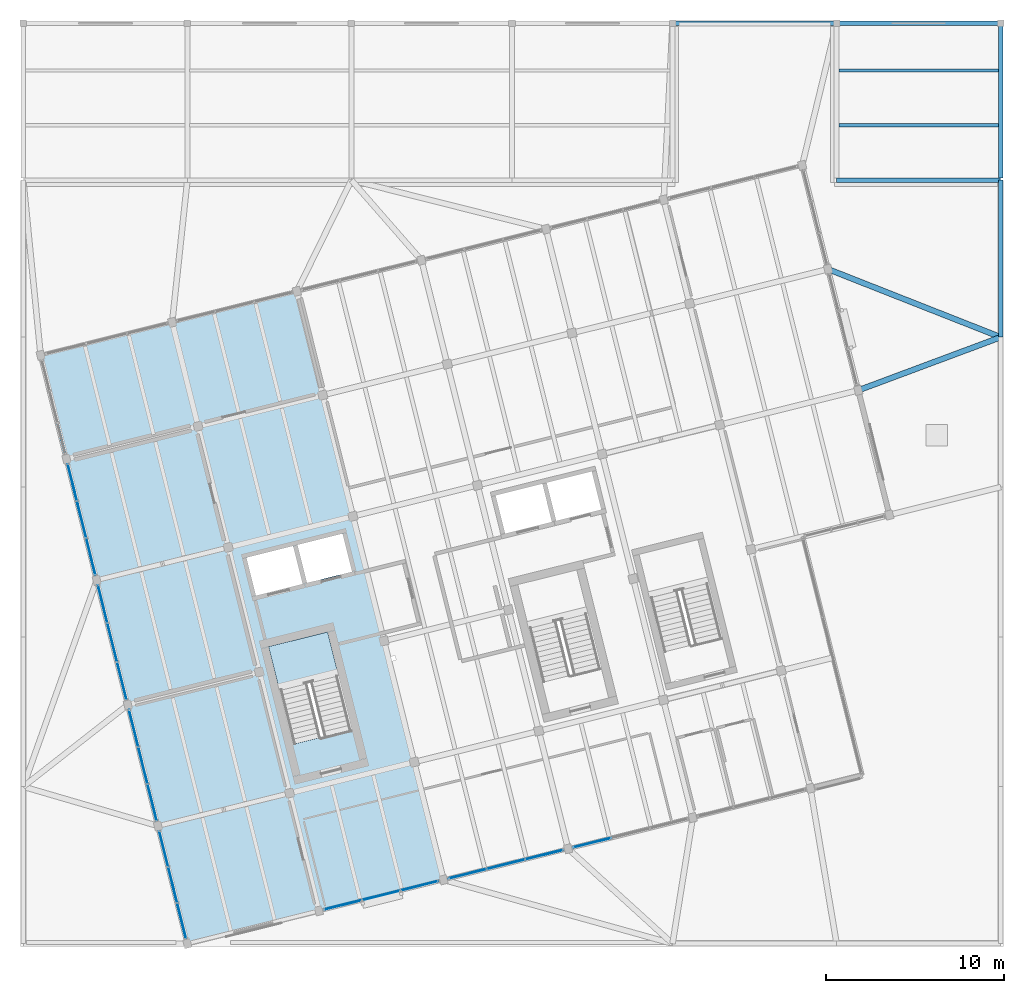
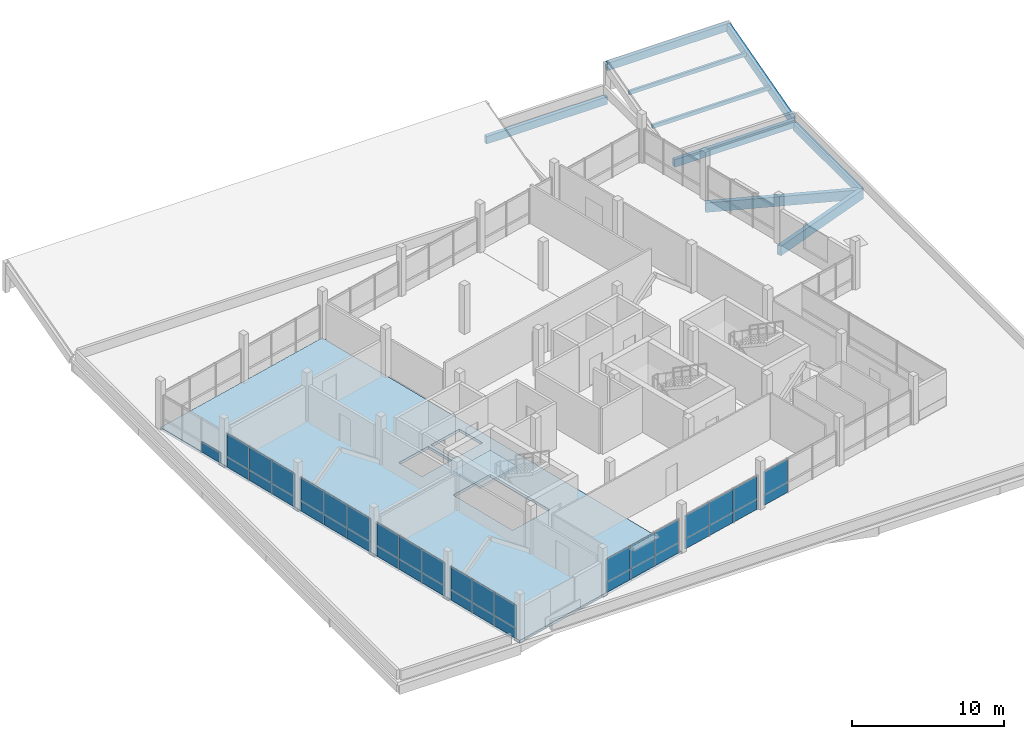
# One storey, part 31 of 37: 39 plates, 7 beams, 2 members, 2 slabs, 9 elements without a shape of their own.
"""IFC4 building model written with IfcOpenShell, lengths in metres."""

from ifc_helpers import new_model, si_unit, direction, frame, origin, origin_2d, place, context, subcontext, project, spatial, polyline, rectangle, outline, extrude, material, layer, layer_set, material_profile, profile_set, type_object, element, aggregate, save


model = new_model("IFC4")

# Units and contexts
model_context = context("Model", 3, precision=1e-05, world=origin(), true_north=direction((0.0, 1.0)))
body_context = subcontext(model_context, "Body", "Model", "MODEL_VIEW")
ifc_project = project(units=[si_unit("LENGTHUNIT", "METRE"), si_unit("AREAUNIT", "SQUARE_METRE"), si_unit("VOLUMEUNIT", "CUBIC_METRE"), si_unit("PLANEANGLEUNIT", "RADIAN"), si_unit("MASSUNIT", "GRAM", prefix="KILO")], contexts=[model_context])

# Site, building, storey
site_placement = place(None, origin())
site = spatial("IfcSite", under=ifc_project, at=site_placement, CompositionType="ELEMENT")
building_placement = place(site_placement, origin())
building = spatial("IfcBuilding", under=site, at=building_placement, Name="Meriwether Solvik Hall", CompositionType="ELEMENT")
storey_placement = place(building_placement, frame((0.0, 0.0, 26.10009765625)))
storey = spatial("IfcBuildingStorey", under=building, at=storey_placement, Name="L06", CompositionType="ELEMENT", Elevation=26.10009765625)

# Beams
ifc_material_1 = material(Name="Glulam Douglas-Fir 24F-V8 GL28h", Category="wood")
ifc_material_profile_1 = material_profile(ifc_material_1, rectangle(XDim=0.27294921875, YDim=0.610107421875, at=origin_2d()), Name="GLB-273X610")
ifc_profile_set_1 = profile_set([ifc_material_profile_1], Name="Glulam Douglas-Fir 24F-V8 GL28h")
beam_type_1 = type_object("IfcBeamType", Name="BM-GL-273X610", PredefinedType="SPANDREL", material=ifc_profile_set_1)
beam_1_placement = place(storey_placement, frame((95.800048828125, 92.800048828125, -0.5751953125), z_axis=(1.0, 0.0, 0.0), x_axis=(0.0, 1.0, 0.0)))
element("IfcBeam", 1, at=beam_1_placement, inside=storey, type_object=beam_type_1, Name="Podium Girder K:11-12 (L06)", PredefinedType="SPANDREL", context=body_context, shape_type="SweptSolid", body=[
    extrude(rectangle(XDim=0.27294921875, YDim=0.610107421875, at=origin_2d()), origin(), (0.0, 0.0, 1.0), 9.199951171875),
])
beam_2_placement = place(storey_placement, frame((114.199951171875, 75.199951171875, -0.5751953125), z_axis=(0.0, 1.0, 0.0), x_axis=(-1.0, 0.0, 0.0)))
element("IfcBeam", 2, at=beam_2_placement, inside=storey, type_object=beam_type_1, Name="Podium Girder 13:I-J (L06)", PredefinedType="SPANDREL", context=body_context, shape_type="SweptSolid", body=[
    extrude(rectangle(XDim=0.27294921875, YDim=0.610107421875, at=origin_2d()), origin(), (0.0, 0.0, 1.0), 8.800048828125),
])
for number, where, z_axis, x_axis, name in (
    (3, (105.0, 84.0, -0.323974609375), (1.0, 0.0, 0.0), (0.0, 1.0, 0.0), "Roof Tie Beam J:12-13 (L06)"),
    (4, (105.0, 92.800048828125, 2.095947265625), (1.0, 0.0, 0.0), (0.0, 1.0, 0.0), "Roof Tie Beam K:12-13 (L06)"),
):
    element("IfcBeam", number, at=place(storey_placement, frame(where, z_axis=z_axis, x_axis=x_axis)), inside=storey, type_object=beam_type_1, Name=name, PredefinedType="SPANDREL", context=body_context, shape_type="SweptSolid", body=[
        extrude(rectangle(XDim=0.27294921875, YDim=0.610107421875, at=origin_2d()), origin(), (0.0, 0.0, 1.0), 9.199951171875),
    ])
ifc_material_2 = material(Name="Glulam Douglas-Fir 24F-V8 GL28h", Category="wood")
ifc_material_profile_2 = material_profile(ifc_material_2, rectangle(XDim=0.27294921875, YDim=0.68505859375, at=origin_2d()), Name="GLB-273X685")
ifc_profile_set_2 = profile_set([ifc_material_profile_2], Name="Glulam Douglas-Fir 24F-V8 GL28h")
beam_type_2 = type_object("IfcBeamType", Name="BM-GL-273X685", PredefinedType="BEAM", material=ifc_profile_set_2)
beam_3_placement = place(storey_placement, frame((114.199951171875, 84.21875, -0.31396484375), z_axis=(0.0, 0.964211732223, 0.265133429511), x_axis=(-1.0, 0.0, 0.0)))
element("IfcBeam", 5, at=beam_3_placement, inside=storey, type_object=beam_type_2, Name="Raking Glulam Roof Rafter w4b_north_e-13 (L06)", PredefinedType="BEAM", context=body_context, shape_type="SweptSolid", body=[
    extrude(rectangle(XDim=0.27294921875, YDim=0.68505859375, at=origin_2d()), origin(), (0.0, 0.0, 1.0), 8.861083984375),
])
ifc_material_3 = material(Name="Glulam Douglas-Fir 24F-V8 GL28h", Category="wood")
ifc_material_profile_3 = material_profile(ifc_material_3, rectangle(XDim=0.31494140625, YDim=0.760009765625, at=origin_2d()), Name="GLB-315X760")
ifc_profile_set_3 = profile_set([ifc_material_profile_3], Name="Glulam Douglas-Fir 24F-V8 GL28h")
beam_type_3 = type_object("IfcBeamType", Name="BM-GL-315X760", PredefinedType="BEAM", material=ifc_profile_set_3)
beam_4_placement = place(storey_placement, frame((106.212646484375, 72.220703125, -0.650146484375), z_axis=(0.93694444662, 0.349478331156, 0.0), x_axis=(-0.349478331156, 0.93694444662, 0.0)))
element("IfcBeam", 6, at=beam_4_placement, inside=storey, type_object=beam_type_3, Name="Diaphragm Collector Girder T7/TD-13/I (L06)", PredefinedType="BEAM", context=body_context, shape_type="SweptSolid", body=[
    extrude(rectangle(XDim=0.31494140625, YDim=0.760009765625, at=origin_2d()), origin(), (0.0, 0.0, 1.0), 8.52490234375),
])
beam_5_placement = place(storey_placement, frame((104.519287109375, 79.012939453125, -0.650146484375), z_axis=(0.930428275018, -0.366474044165, 0.0), x_axis=(0.366474044165, 0.930428275018, 0.0)))
element("IfcBeam", 7, at=beam_5_placement, inside=storey, type_object=beam_type_3, Name="Diaphragm Collector Girder T7/TE-13/I (L06)", PredefinedType="BEAM", context=body_context, shape_type="SweptSolid", body=[
    extrude(rectangle(XDim=0.31494140625, YDim=0.760009765625, at=origin_2d()), origin(), (0.0, 0.0, 1.0), 10.404541015625),
])

# Members
ifc_material_4 = material(Name="Glulam Douglas-Fir 24F-V8 GL28h", Category="wood")
ifc_material_profile_4 = material_profile(ifc_material_4, rectangle(XDim=0.175048828125, YDim=0.304931640625, at=origin_2d()), Name="GLM-175X305")
ifc_profile_set_4 = profile_set([ifc_material_profile_4], Name="Glulam Douglas-Fir 24F-V8 GL28h")
member_type = type_object("IfcMemberType", Name="MEM-PRL-GL175", PredefinedType="PURLIN", material=ifc_profile_set_4)
for number, where, z_axis, x_axis, name in (
    (8, (105.132568359375, 87.080078125, 0.675537109375), (1.0, 0.0, 0.0), (0.0, 1.0, 0.0), "Sloped Roof Glulam Purlin w4b_north_e-1.1"),
    (9, (105.132568359375, 90.159912109375, 1.5224609375), (1.0, 0.0, 0.0), (0.0, 1.0, 0.0), "Sloped Roof Glulam Purlin w4b_north_e-1.2"),
):
    element("IfcMember", number, at=place(storey_placement, frame(where, z_axis=z_axis, x_axis=x_axis)), inside=storey, type_object=member_type, Name=name, PredefinedType="PURLIN", context=body_context, shape_type="SweptSolid", body=[
        extrude(rectangle(XDim=0.175048828125, YDim=0.304931640625, at=origin_2d()), origin(), (0.0, 0.0, 1.0), 8.934814453125),
    ])

# Curtain wall, plates
ifc_material_5 = material(Name="Thermally Broken Anodised Aluminium 6063-T6 and Low-E Glass", Category="aluminium")
ifc_layer_1 = layer(ifc_material_5, 0.179931640625)
ifc_layer_set_1 = layer_set([ifc_layer_1], Name="Thermally Broken Anodised Aluminium 6063-T6 and Low-E Glass")
curtain_wall_type_1 = type_object("IfcCurtainWallType", Name="CW-UNIT-B", PredefinedType="USERDEFINED", material=ifc_layer_set_1)
curtain_wall_1_placement = place(storey_placement, origin())
curtain_wall_1 = element("IfcCurtainWall", 10, at=curtain_wall_1_placement, inside=storey, type_object=curtain_wall_type_1, Name="Curtain Wall E5_B0 (L06)", ObjectType="UNITISED CURTAIN WALL", PredefinedType="USERDEFINED")
ifc_material_6 = material(Name="Low-Emissivity Double-Glazed Laminated Glass", Category="glass")
ifc_layer_2 = layer(ifc_material_6, 0.031982421875)
ifc_layer_set_2 = layer_set([ifc_layer_2], Name="Low-Emissivity Double-Glazed Laminated Glass")
plate_type_1 = type_object("IfcPlateType", Name="PLT-GLZ-180X185", PredefinedType="CURTAIN_PANEL", material=ifc_layer_set_2)
plate_1_placement = place(storey_placement, frame((68.279296875, 42.486083984375, 0.82470703125), z_axis=(0.0, 0.0, 1.0), x_axis=(-0.241921848775, 0.970295737951, 0.0)))
plate_1 = element("IfcPlate", 11, at=plate_1_placement, type_object=plate_type_1, Name="Low-E Vision Glazing Panel 1", PredefinedType="CURTAIN_PANEL", context=body_context, shape_type="SweptSolid", body=[
    extrude(rectangle(XDim=2.047607421875, YDim=0.033935546875, at=origin_2d()), origin(), (0.0, 0.0, 1.0), 1.864990234375),
])
plate_2_placement = place(storey_placement, frame((67.777587890625, 44.4990234375, 0.82470703125), z_axis=(0.0, 0.0, 1.0), x_axis=(-0.241921848775, 0.970295737951, 0.0)))
plate_2 = element("IfcPlate", 12, at=plate_2_placement, type_object=plate_type_1, Name="Low-E Vision Glazing Panel 2", PredefinedType="CURTAIN_PANEL", context=body_context, shape_type="SweptSolid", body=[
    extrude(rectangle(XDim=2.085693359375, YDim=0.033935546875, at=origin_2d()), origin(), (0.0, 0.0, 1.0), 1.864990234375),
])
plate_3_placement = place(storey_placement, frame((67.275634765625, 46.511962890625, 0.82470703125), z_axis=(0.0, 0.0, 1.0), x_axis=(-0.241921848775, 0.970295737951, 0.0)))
plate_3 = element("IfcPlate", 13, at=plate_3_placement, type_object=plate_type_1, Name="Low-E Vision Glazing Panel 3", PredefinedType="CURTAIN_PANEL", context=body_context, shape_type="SweptSolid", body=[
    extrude(rectangle(XDim=2.047607421875, YDim=0.033935546875, at=origin_2d()), origin(), (0.0, 0.0, 1.0), 1.864990234375),
])

# Curtain wall, plate
ifc_material_7 = material(Name="Thermally Broken Anodised Aluminium 6063-T6 and Low-E Glass", Category="aluminium")
ifc_layer_3 = layer(ifc_material_7, 0.179931640625)
ifc_layer_set_3 = layer_set([ifc_layer_3], Name="Thermally Broken Anodised Aluminium 6063-T6 and Low-E Glass")
curtain_wall_type_2 = type_object("IfcCurtainWallType", Name="CW-UNIT-G", PredefinedType="USERDEFINED", material=ifc_layer_set_3)
curtain_wall_2_placement = place(storey_placement, origin())
curtain_wall_2 = element("IfcCurtainWall", 14, at=curtain_wall_2_placement, inside=storey, type_object=curtain_wall_type_2, Name="Curtain Wall E0_B3 (L06)", ObjectType="UNITISED CURTAIN WALL", PredefinedType="USERDEFINED")
ifc_material_8 = material(Name="Low-Emissivity Double-Glazed Laminated Glass", Category="glass")
ifc_layer_4 = layer(ifc_material_8, 0.031982421875)
ifc_layer_set_4 = layer_set([ifc_layer_4], Name="Low-Emissivity Double-Glazed Laminated Glass")
plate_type_2 = type_object("IfcPlateType", Name="PLT-GLZ-195X185", PredefinedType="CURTAIN_PANEL", material=ifc_layer_set_4)
plate_4_placement = place(storey_placement, frame((91.297119140625, 46.859130859375, 0.82470703125), z_axis=(0.0, 0.0, 1.0), x_axis=(-0.970295691079, -0.241922036769, 0.0)))
plate_4 = element("IfcPlate", 15, at=plate_4_placement, type_object=plate_type_2, Name="Low-E Vision Glazing Panel 3", PredefinedType="CURTAIN_PANEL", context=body_context, shape_type="SweptSolid", body=[
    extrude(rectangle(XDim=2.180908203125, YDim=0.033935546875, at=origin_2d()), origin(), (0.0, 0.0, 1.0), 1.864990234375),
])

# Curtain wall, plates
ifc_material_9 = material(Name="Thermally Broken Anodised Aluminium 6063-T6 and Low-E Glass", Category="aluminium")
ifc_layer_5 = layer(ifc_material_9, 0.179931640625)
ifc_layer_set_5 = layer_set([ifc_layer_5], Name="Thermally Broken Anodised Aluminium 6063-T6 and Low-E Glass")
curtain_wall_type_3 = type_object("IfcCurtainWallType", Name="CW-UNIT-E", PredefinedType="USERDEFINED", material=ifc_layer_set_5)
curtain_wall_3_placement = place(storey_placement, origin())
curtain_wall_3 = element("IfcCurtainWall", 16, at=curtain_wall_3_placement, inside=storey, type_object=curtain_wall_type_3, Name="Curtain Wall E5_B3 (L06)", ObjectType="UNITISED CURTAIN WALL", PredefinedType="USERDEFINED")
plate_5_placement = place(storey_placement, frame((63.19091796875, 62.89453125, 0.82470703125), z_axis=(0.0, 0.0, 1.0), x_axis=(-0.241921764185, 0.970295759041, 0.0)))
plate_5 = element("IfcPlate", 17, at=plate_5_placement, type_object=plate_type_2, Name="Low-E Vision Glazing Panel 1", PredefinedType="CURTAIN_PANEL", context=body_context, shape_type="SweptSolid", body=[
    extrude(rectangle(XDim=2.1142578125, YDim=0.033935546875, at=origin_2d()), origin(), (0.0, 0.0, 1.0), 1.864990234375),
])
plate_6_placement = place(storey_placement, frame((62.6728515625, 64.97216796875, 0.82470703125), z_axis=(0.0, 0.0, 1.0), x_axis=(-0.241921764185, 0.970295759041, 0.0)))
plate_6 = element("IfcPlate", 18, at=plate_6_placement, type_object=plate_type_2, Name="Low-E Vision Glazing Panel 2", PredefinedType="CURTAIN_PANEL", context=body_context, shape_type="SweptSolid", body=[
    extrude(rectangle(XDim=2.15234375, YDim=0.033935546875, at=origin_2d()), origin(), (0.0, 0.0, 1.0), 1.864990234375),
])
plate_7_placement = place(storey_placement, frame((62.15478515625, 67.050048828125, 0.82470703125), z_axis=(0.0, 0.0, 1.0), x_axis=(-0.241921764185, 0.970295759041, 0.0)))
plate_7 = element("IfcPlate", 19, at=plate_7_placement, type_object=plate_type_2, Name="Low-E Vision Glazing Panel 3", PredefinedType="CURTAIN_PANEL", context=body_context, shape_type="SweptSolid", body=[
    extrude(rectangle(XDim=2.1142578125, YDim=0.033935546875, at=origin_2d()), origin(), (0.0, 0.0, 1.0), 1.864990234375),
])

ifc_material_10 = material(Name="Thermally Broken Anodised Aluminium 6063-T6 and Low-E Glass", Category="aluminium")
ifc_layer_6 = layer(ifc_material_10, 0.179931640625)
ifc_layer_set_6 = layer_set([ifc_layer_6], Name="Thermally Broken Anodised Aluminium 6063-T6 and Low-E Glass")
curtain_wall_type_4 = type_object("IfcCurtainWallType", Name="CW-UNIT-F", PredefinedType="USERDEFINED", material=ifc_layer_set_6)
curtain_wall_4_placement = place(storey_placement, origin())
curtain_wall_4 = element("IfcCurtainWall", 20, at=curtain_wall_4_placement, inside=storey, type_object=curtain_wall_type_4, Name="Curtain Wall E0_B2 (L06)", ObjectType="UNITISED CURTAIN WALL", PredefinedType="USERDEFINED")
ifc_material_11 = material(Name="Low-Emissivity Double-Glazed Laminated Glass", Category="glass")
ifc_layer_7 = layer(ifc_material_11, 0.031982421875)
ifc_layer_set_7 = layer_set([ifc_layer_7], Name="Low-Emissivity Double-Glazed Laminated Glass")
plate_type_3 = type_object("IfcPlateType", Name="PLT-GLZ-210X195", PredefinedType="CURTAIN_PANEL", material=ifc_layer_set_7)
plate_8_placement = place(storey_placement, frame((88.595947265625, 46.185546875, 0.82470703125), z_axis=(0.0, 0.0, 1.0), x_axis=(-0.970295734974, -0.241921860714, 0.0)))
plate_8 = element("IfcPlate", 21, at=plate_8_placement, type_object=plate_type_3, Name="Low-E Vision Glazing Panel 1", PredefinedType="CURTAIN_PANEL", context=body_context, shape_type="SweptSolid", body=[
    extrude(rectangle(XDim=2.180908203125, YDim=0.033935546875, at=origin_2d()), origin(), (0.0, 0.0, 1.0), 1.864990234375),
])
plate_9_placement = place(storey_placement, frame((86.453369140625, 45.6513671875, 0.82470703125), z_axis=(0.0, 0.0, 1.0), x_axis=(-0.970295734974, -0.241921860714, 0.0)))
plate_9 = element("IfcPlate", 22, at=plate_9_placement, type_object=plate_type_3, Name="Low-E Vision Glazing Panel 2", PredefinedType="CURTAIN_PANEL", context=body_context, shape_type="SweptSolid", body=[
    extrude(rectangle(XDim=2.218994140625, YDim=0.033935546875, at=origin_2d()), origin(), (0.0, 0.0, 1.0), 1.864990234375),
])
plate_10_placement = place(storey_placement, frame((84.31103515625, 45.1171875, 0.82470703125), z_axis=(0.0, 0.0, 1.0), x_axis=(-0.970295734974, -0.241921860714, 0.0)))
plate_10 = element("IfcPlate", 23, at=plate_10_placement, type_object=plate_type_3, Name="Low-E Vision Glazing Panel 3", PredefinedType="CURTAIN_PANEL", context=body_context, shape_type="SweptSolid", body=[
    extrude(rectangle(XDim=2.180908203125, YDim=0.033935546875, at=origin_2d()), origin(), (0.0, 0.0, 1.0), 1.864990234375),
])

ifc_material_12 = material(Name="Thermally Broken Anodised Aluminium 6063-T6 and Low-E Glass", Category="aluminium")
ifc_layer_8 = layer(ifc_material_12, 0.179931640625)
ifc_layer_set_8 = layer_set([ifc_layer_8], Name="Thermally Broken Anodised Aluminium 6063-T6 and Low-E Glass")
curtain_wall_type_5 = type_object("IfcCurtainWallType", Name="CW-UNIT-D", PredefinedType="USERDEFINED", material=ifc_layer_set_8)
curtain_wall_5_placement = place(storey_placement, origin())
curtain_wall_5 = element("IfcCurtainWall", 24, at=curtain_wall_5_placement, inside=storey, type_object=curtain_wall_type_5, Name="Curtain Wall E5_B2 (L06)", ObjectType="UNITISED CURTAIN WALL", PredefinedType="USERDEFINED")
plate_11_placement = place(storey_placement, frame((64.9248046875, 55.940673828125, 0.82470703125), z_axis=(0.0, 0.0, 1.0), x_axis=(-0.241921860714, 0.970295734974, 0.0)))
plate_11 = element("IfcPlate", 25, at=plate_11_placement, type_object=plate_type_3, Name="Low-E Vision Glazing Panel 1", PredefinedType="CURTAIN_PANEL", context=body_context, shape_type="SweptSolid", body=[
    extrude(rectangle(XDim=2.180908203125, YDim=0.033935546875, at=origin_2d()), origin(), (0.0, 0.0, 1.0), 1.864990234375),
])
plate_12_placement = place(storey_placement, frame((64.390625, 58.083251953125, 0.82470703125), z_axis=(0.0, 0.0, 1.0), x_axis=(-0.241921860714, 0.970295734974, 0.0)))
plate_12 = element("IfcPlate", 26, at=plate_12_placement, type_object=plate_type_3, Name="Low-E Vision Glazing Panel 2", PredefinedType="CURTAIN_PANEL", context=body_context, shape_type="SweptSolid", body=[
    extrude(rectangle(XDim=2.218994140625, YDim=0.033935546875, at=origin_2d()), origin(), (0.0, 0.0, 1.0), 1.864990234375),
])
plate_13_placement = place(storey_placement, frame((63.8564453125, 60.2255859375, 0.82470703125), z_axis=(0.0, 0.0, 1.0), x_axis=(-0.241921860714, 0.970295734974, 0.0)))
plate_13 = element("IfcPlate", 27, at=plate_13_placement, type_object=plate_type_3, Name="Low-E Vision Glazing Panel 3", PredefinedType="CURTAIN_PANEL", context=body_context, shape_type="SweptSolid", body=[
    extrude(rectangle(XDim=2.180908203125, YDim=0.033935546875, at=origin_2d()), origin(), (0.0, 0.0, 1.0), 1.864990234375),
])

curtain_wall_6_placement = place(storey_placement, origin())
curtain_wall_6 = element("IfcCurtainWall", 28, at=curtain_wall_6_placement, inside=storey, type_object=curtain_wall_type_3, Name="Curtain Wall E0_B1 (L06)", ObjectType="UNITISED CURTAIN WALL", PredefinedType="USERDEFINED")
ifc_material_13 = material(Name="Low-Emissivity Double-Glazed Laminated Glass", Category="glass")
ifc_layer_9 = layer(ifc_material_13, 0.031982421875)
ifc_layer_set_9 = layer_set([ifc_layer_9], Name="Low-Emissivity Double-Glazed Laminated Glass")
plate_type_4 = type_object("IfcPlateType", Name="PLT-GLZ-225X195", PredefinedType="CURTAIN_PANEL", material=ifc_layer_set_9)
plate_14_placement = place(storey_placement, frame((81.609619140625, 44.443603515625, 0.82470703125), z_axis=(0.0, 0.0, 1.0), x_axis=(-0.970295734974, -0.241921860714, 0.0)))
plate_14 = element("IfcPlate", 29, at=plate_14_placement, type_object=plate_type_4, Name="Low-E Vision Glazing Panel 1", PredefinedType="CURTAIN_PANEL", context=body_context, shape_type="SweptSolid", body=[
    extrude(rectangle(XDim=2.180908203125, YDim=0.033935546875, at=origin_2d()), origin(), (0.0, 0.0, 1.0), 1.864990234375),
])
plate_15_placement = place(storey_placement, frame((79.46728515625, 43.909423828125, 0.82470703125), z_axis=(0.0, 0.0, 1.0), x_axis=(-0.970295734974, -0.241921860714, 0.0)))
plate_15 = element("IfcPlate", 30, at=plate_15_placement, type_object=plate_type_4, Name="Low-E Vision Glazing Panel 2", PredefinedType="CURTAIN_PANEL", context=body_context, shape_type="SweptSolid", body=[
    extrude(rectangle(XDim=2.218994140625, YDim=0.033935546875, at=origin_2d()), origin(), (0.0, 0.0, 1.0), 1.864990234375),
])
plate_16_placement = place(storey_placement, frame((77.324951171875, 43.375244140625, 0.82470703125), z_axis=(0.0, 0.0, 1.0), x_axis=(-0.970295734974, -0.241921860714, 0.0)))
plate_16 = element("IfcPlate", 31, at=plate_16_placement, type_object=plate_type_4, Name="Low-E Vision Glazing Panel 3", PredefinedType="CURTAIN_PANEL", context=body_context, shape_type="SweptSolid", body=[
    extrude(rectangle(XDim=2.180908203125, YDim=0.033935546875, at=origin_2d()), origin(), (0.0, 0.0, 1.0), 1.864990234375),
])

ifc_material_14 = material(Name="Thermally Broken Anodised Aluminium 6063-T6 and Low-E Glass", Category="aluminium")
ifc_layer_10 = layer(ifc_material_14, 0.179931640625)
ifc_layer_set_10 = layer_set([ifc_layer_10], Name="Thermally Broken Anodised Aluminium 6063-T6 and Low-E Glass")
curtain_wall_type_6 = type_object("IfcCurtainWallType", Name="CW-UNIT-C", PredefinedType="USERDEFINED", material=ifc_layer_set_10)
curtain_wall_7_placement = place(storey_placement, origin())
curtain_wall_7 = element("IfcCurtainWall", 32, at=curtain_wall_7_placement, inside=storey, type_object=curtain_wall_type_6, Name="Curtain Wall E5_B1 (L06)", ObjectType="UNITISED CURTAIN WALL", PredefinedType="USERDEFINED")
plate_17_placement = place(storey_placement, frame((66.626220703125, 49.1162109375, 0.82470703125), z_axis=(0.0, 0.0, 1.0), x_axis=(-0.241921800409, 0.97029575001, 0.0)))
plate_17 = element("IfcPlate", 33, at=plate_17_placement, type_object=plate_type_4, Name="Low-E Vision Glazing Panel 1", PredefinedType="CURTAIN_PANEL", context=body_context, shape_type="SweptSolid", body=[
    extrude(rectangle(XDim=2.1142578125, YDim=0.033935546875, at=origin_2d()), origin(), (0.0, 0.0, 1.0), 1.864990234375),
])
plate_18_placement = place(storey_placement, frame((66.108154296875, 51.194091796875, 0.82470703125), z_axis=(0.0, 0.0, 1.0), x_axis=(-0.241921800409, 0.97029575001, 0.0)))
plate_18 = element("IfcPlate", 34, at=plate_18_placement, type_object=plate_type_4, Name="Low-E Vision Glazing Panel 2", PredefinedType="CURTAIN_PANEL", context=body_context, shape_type="SweptSolid", body=[
    extrude(rectangle(XDim=2.15234375, YDim=0.033935546875, at=origin_2d()), origin(), (0.0, 0.0, 1.0), 1.864990234375),
])
plate_19_placement = place(storey_placement, frame((65.590087890625, 53.271728515625, 0.82470703125), z_axis=(0.0, 0.0, 1.0), x_axis=(-0.241921800409, 0.97029575001, 0.0)))
plate_19 = element("IfcPlate", 35, at=plate_19_placement, type_object=plate_type_4, Name="Low-E Vision Glazing Panel 3", PredefinedType="CURTAIN_PANEL", context=body_context, shape_type="SweptSolid", body=[
    extrude(rectangle(XDim=2.1142578125, YDim=0.033935546875, at=origin_2d()), origin(), (0.0, 0.0, 1.0), 1.864990234375),
])

# Plate
ifc_material_15 = material(Name="Mineral-Wool Insulated Anodised Aluminium 6063-T6", Category="aluminium")
ifc_layer_11 = layer(ifc_material_15, 0.044921875)
ifc_layer_set_11 = layer_set([ifc_layer_11], Name="Mineral-Wool Insulated Anodised Aluminium 6063-T6")
plate_type_5 = type_object("IfcPlateType", Name="PLT-SPN-225X085", PredefinedType="CURTAIN_PANEL", material=ifc_layer_set_11)
plate_20_placement = place(storey_placement, frame((81.609619140625, 44.443603515625, 0.0), z_axis=(0.0, 0.0, 1.0), x_axis=(-0.970295734974, -0.241921860714, 0.0)))
plate_20 = element("IfcPlate", 36, at=plate_20_placement, type_object=plate_type_5, Name="Insulated Spandrel Panel 1", PredefinedType="CURTAIN_PANEL", context=body_context, shape_type="SweptSolid", body=[
    extrude(rectangle(XDim=2.180908203125, YDim=0.044921875, at=origin_2d()), origin(), (0.0, 0.0, 1.0), 0.824951171875),
])

plate_21_placement = place(storey_placement, frame((79.46728515625, 43.909423828125, 0.0), z_axis=(0.0, 0.0, 1.0), x_axis=(-0.970295734974, -0.241921860714, 0.0)))
plate_21 = element("IfcPlate", 37, at=plate_21_placement, type_object=plate_type_5, Name="Insulated Spandrel Panel 2", PredefinedType="CURTAIN_PANEL", context=body_context, shape_type="SweptSolid", body=[
    extrude(rectangle(XDim=2.218994140625, YDim=0.044921875, at=origin_2d()), origin(), (0.0, 0.0, 1.0), 0.824951171875),
])

plate_22_placement = place(storey_placement, frame((77.324951171875, 43.375244140625, 0.0), z_axis=(0.0, 0.0, 1.0), x_axis=(-0.970295734974, -0.241921860714, 0.0)))
plate_22 = element("IfcPlate", 38, at=plate_22_placement, type_object=plate_type_5, Name="Insulated Spandrel Panel 3", PredefinedType="CURTAIN_PANEL", context=body_context, shape_type="SweptSolid", body=[
    extrude(rectangle(XDim=2.180908203125, YDim=0.044921875, at=origin_2d()), origin(), (0.0, 0.0, 1.0), 0.824951171875),
])

aggregate(curtain_wall_6, [plate_20, plate_14, plate_21, plate_15, plate_22, plate_16])

plate_23_placement = place(storey_placement, frame((88.595947265625, 46.185546875, 0.0), z_axis=(0.0, 0.0, 1.0), x_axis=(-0.970295734974, -0.241921860714, 0.0)))
plate_23 = element("IfcPlate", 39, at=plate_23_placement, type_object=plate_type_5, Name="Insulated Spandrel Panel 1", PredefinedType="CURTAIN_PANEL", context=body_context, shape_type="SweptSolid", body=[
    extrude(rectangle(XDim=2.180908203125, YDim=0.044921875, at=origin_2d()), origin(), (0.0, 0.0, 1.0), 0.824951171875),
])

plate_24_placement = place(storey_placement, frame((86.453369140625, 45.6513671875, 0.0), z_axis=(0.0, 0.0, 1.0), x_axis=(-0.970295734974, -0.241921860714, 0.0)))
plate_24 = element("IfcPlate", 40, at=plate_24_placement, type_object=plate_type_5, Name="Insulated Spandrel Panel 2", PredefinedType="CURTAIN_PANEL", context=body_context, shape_type="SweptSolid", body=[
    extrude(rectangle(XDim=2.218994140625, YDim=0.044921875, at=origin_2d()), origin(), (0.0, 0.0, 1.0), 0.824951171875),
])

plate_25_placement = place(storey_placement, frame((84.31103515625, 45.1171875, 0.0), z_axis=(0.0, 0.0, 1.0), x_axis=(-0.970295734974, -0.241921860714, 0.0)))
plate_25 = element("IfcPlate", 41, at=plate_25_placement, type_object=plate_type_5, Name="Insulated Spandrel Panel 3", PredefinedType="CURTAIN_PANEL", context=body_context, shape_type="SweptSolid", body=[
    extrude(rectangle(XDim=2.180908203125, YDim=0.044921875, at=origin_2d()), origin(), (0.0, 0.0, 1.0), 0.824951171875),
])

aggregate(curtain_wall_4, [plate_23, plate_8, plate_24, plate_9, plate_25, plate_10])

plate_26_placement = place(storey_placement, frame((91.297119140625, 46.859130859375, 0.0), z_axis=(0.0, 0.0, 1.0), x_axis=(-0.970295691079, -0.241922036769, 0.0)))
plate_26 = element("IfcPlate", 42, at=plate_26_placement, type_object=plate_type_5, Name="Insulated Spandrel Panel 3", PredefinedType="CURTAIN_PANEL", context=body_context, shape_type="SweptSolid", body=[
    extrude(rectangle(XDim=2.180908203125, YDim=0.044921875, at=origin_2d()), origin(), (0.0, 0.0, 1.0), 0.824951171875),
])

aggregate(curtain_wall_2, [plate_26, plate_4])

plate_27_placement = place(storey_placement, frame((68.279296875, 42.486083984375, 0.0), z_axis=(0.0, 0.0, 1.0), x_axis=(-0.241921848775, 0.970295737951, 0.0)))
plate_27 = element("IfcPlate", 43, at=plate_27_placement, type_object=plate_type_5, Name="Insulated Spandrel Panel 1", PredefinedType="CURTAIN_PANEL", context=body_context, shape_type="SweptSolid", body=[
    extrude(rectangle(XDim=2.047607421875, YDim=0.044921875, at=origin_2d()), origin(), (0.0, 0.0, 1.0), 0.824951171875),
])

plate_28_placement = place(storey_placement, frame((67.777587890625, 44.4990234375, 0.0), z_axis=(0.0, 0.0, 1.0), x_axis=(-0.241921848775, 0.970295737951, 0.0)))
plate_28 = element("IfcPlate", 44, at=plate_28_placement, type_object=plate_type_5, Name="Insulated Spandrel Panel 2", PredefinedType="CURTAIN_PANEL", context=body_context, shape_type="SweptSolid", body=[
    extrude(rectangle(XDim=2.085693359375, YDim=0.044921875, at=origin_2d()), origin(), (0.0, 0.0, 1.0), 0.824951171875),
])

plate_29_placement = place(storey_placement, frame((67.275634765625, 46.511962890625, 0.0), z_axis=(0.0, 0.0, 1.0), x_axis=(-0.241921848775, 0.970295737951, 0.0)))
plate_29 = element("IfcPlate", 45, at=plate_29_placement, type_object=plate_type_5, Name="Insulated Spandrel Panel 3", PredefinedType="CURTAIN_PANEL", context=body_context, shape_type="SweptSolid", body=[
    extrude(rectangle(XDim=2.047607421875, YDim=0.044921875, at=origin_2d()), origin(), (0.0, 0.0, 1.0), 0.824951171875),
])

aggregate(curtain_wall_1, [plate_27, plate_1, plate_28, plate_2, plate_29, plate_3])

plate_30_placement = place(storey_placement, frame((66.626220703125, 49.1162109375, 0.0), z_axis=(0.0, 0.0, 1.0), x_axis=(-0.241921800409, 0.97029575001, 0.0)))
plate_30 = element("IfcPlate", 46, at=plate_30_placement, type_object=plate_type_5, Name="Insulated Spandrel Panel 1", PredefinedType="CURTAIN_PANEL", context=body_context, shape_type="SweptSolid", body=[
    extrude(rectangle(XDim=2.1142578125, YDim=0.044921875, at=origin_2d()), origin(), (0.0, 0.0, 1.0), 0.824951171875),
])

plate_31_placement = place(storey_placement, frame((66.108154296875, 51.194091796875, 0.0), z_axis=(0.0, 0.0, 1.0), x_axis=(-0.241921800409, 0.97029575001, 0.0)))
plate_31 = element("IfcPlate", 47, at=plate_31_placement, type_object=plate_type_5, Name="Insulated Spandrel Panel 2", PredefinedType="CURTAIN_PANEL", context=body_context, shape_type="SweptSolid", body=[
    extrude(rectangle(XDim=2.15234375, YDim=0.044921875, at=origin_2d()), origin(), (0.0, 0.0, 1.0), 0.824951171875),
])

plate_32_placement = place(storey_placement, frame((65.590087890625, 53.271728515625, 0.0), z_axis=(0.0, 0.0, 1.0), x_axis=(-0.241921800409, 0.97029575001, 0.0)))
plate_32 = element("IfcPlate", 48, at=plate_32_placement, type_object=plate_type_5, Name="Insulated Spandrel Panel 3", PredefinedType="CURTAIN_PANEL", context=body_context, shape_type="SweptSolid", body=[
    extrude(rectangle(XDim=2.1142578125, YDim=0.044921875, at=origin_2d()), origin(), (0.0, 0.0, 1.0), 0.824951171875),
])

aggregate(curtain_wall_7, [plate_30, plate_17, plate_31, plate_18, plate_32, plate_19])

plate_33_placement = place(storey_placement, frame((64.9248046875, 55.940673828125, 0.0), z_axis=(0.0, 0.0, 1.0), x_axis=(-0.241921860714, 0.970295734974, 0.0)))
plate_33 = element("IfcPlate", 49, at=plate_33_placement, type_object=plate_type_5, Name="Insulated Spandrel Panel 1", PredefinedType="CURTAIN_PANEL", context=body_context, shape_type="SweptSolid", body=[
    extrude(rectangle(XDim=2.180908203125, YDim=0.044921875, at=origin_2d()), origin(), (0.0, 0.0, 1.0), 0.824951171875),
])

plate_34_placement = place(storey_placement, frame((64.390625, 58.083251953125, 0.0), z_axis=(0.0, 0.0, 1.0), x_axis=(-0.241921860714, 0.970295734974, 0.0)))
plate_34 = element("IfcPlate", 50, at=plate_34_placement, type_object=plate_type_5, Name="Insulated Spandrel Panel 2", PredefinedType="CURTAIN_PANEL", context=body_context, shape_type="SweptSolid", body=[
    extrude(rectangle(XDim=2.218994140625, YDim=0.044921875, at=origin_2d()), origin(), (0.0, 0.0, 1.0), 0.824951171875),
])

plate_35_placement = place(storey_placement, frame((63.8564453125, 60.2255859375, 0.0), z_axis=(0.0, 0.0, 1.0), x_axis=(-0.241921860714, 0.970295734974, 0.0)))
plate_35 = element("IfcPlate", 51, at=plate_35_placement, type_object=plate_type_5, Name="Insulated Spandrel Panel 3", PredefinedType="CURTAIN_PANEL", context=body_context, shape_type="SweptSolid", body=[
    extrude(rectangle(XDim=2.180908203125, YDim=0.044921875, at=origin_2d()), origin(), (0.0, 0.0, 1.0), 0.824951171875),
])

aggregate(curtain_wall_5, [plate_33, plate_11, plate_34, plate_12, plate_35, plate_13])

plate_36_placement = place(storey_placement, frame((63.19091796875, 62.89453125, 0.0), z_axis=(0.0, 0.0, 1.0), x_axis=(-0.241921764185, 0.970295759041, 0.0)))
plate_36 = element("IfcPlate", 52, at=plate_36_placement, type_object=plate_type_5, Name="Insulated Spandrel Panel 1", PredefinedType="CURTAIN_PANEL", context=body_context, shape_type="SweptSolid", body=[
    extrude(rectangle(XDim=2.1142578125, YDim=0.044921875, at=origin_2d()), origin(), (0.0, 0.0, 1.0), 0.824951171875),
])

plate_37_placement = place(storey_placement, frame((62.6728515625, 64.97216796875, 0.0), z_axis=(0.0, 0.0, 1.0), x_axis=(-0.241921764185, 0.970295759041, 0.0)))
plate_37 = element("IfcPlate", 53, at=plate_37_placement, type_object=plate_type_5, Name="Insulated Spandrel Panel 2", PredefinedType="CURTAIN_PANEL", context=body_context, shape_type="SweptSolid", body=[
    extrude(rectangle(XDim=2.15234375, YDim=0.044921875, at=origin_2d()), origin(), (0.0, 0.0, 1.0), 0.824951171875),
])

plate_38_placement = place(storey_placement, frame((62.15478515625, 67.050048828125, 0.0), z_axis=(0.0, 0.0, 1.0), x_axis=(-0.241921764185, 0.970295759041, 0.0)))
plate_38 = element("IfcPlate", 54, at=plate_38_placement, type_object=plate_type_5, Name="Insulated Spandrel Panel 3", PredefinedType="CURTAIN_PANEL", context=body_context, shape_type="SweptSolid", body=[
    extrude(rectangle(XDim=2.1142578125, YDim=0.044921875, at=origin_2d()), origin(), (0.0, 0.0, 1.0), 0.824951171875),
])

aggregate(curtain_wall_3, [plate_36, plate_5, plate_37, plate_6, plate_38, plate_7])

# Curtain wall, plate
curtain_wall_8_placement = place(storey_placement, origin())
curtain_wall_8 = element("IfcCurtainWall", 55, at=curtain_wall_8_placement, inside=storey, type_object=curtain_wall_type_4, Name="Curtain Wall E5_B4 (L06)", ObjectType="UNITISED CURTAIN WALL", PredefinedType="USERDEFINED")
plate_39_placement = place(storey_placement, frame((61.537841796875, 69.52490234375, 0.0), z_axis=(0.0, 0.0, 1.0), x_axis=(-0.241921905778, 0.970295723738, 0.0)))
plate_39 = element("IfcPlate", 56, at=plate_39_placement, type_object=plate_type_5, Name="Insulated Spandrel Panel 1", PredefinedType="CURTAIN_PANEL", context=body_context, shape_type="SweptSolid", body=[
    extrude(rectangle(XDim=1.781005859375, YDim=0.044921875, at=origin_2d()), origin(), (0.0, 0.0, 1.0), 0.824951171875),
])
aggregate(curtain_wall_8, [plate_39])

# Slab
ifc_material_16 = material(Name="Cross-Laminated Timber PRG 320 E1", Category="wood")
ifc_layer_12 = layer(ifc_material_16, 0.219970703125)
ifc_layer_set_12 = layer_set([ifc_layer_12], Name="Cross-Laminated Timber PRG 320 E1")
slab_type_1 = type_object("IfcSlabType", Name="SLB-CLT-220", PredefinedType="FLOOR", material=ifc_layer_set_12)
slab_1_placement = place(storey_placement, frame((0.0, 0.0, -0.22021484375)))
element("IfcSlab", 57, at=slab_1_placement, inside=storey, type_object=slab_type_1, Name="L06 Mass-Timber CLT Floor W", PredefinedType="FLOOR", context=body_context, shape_type="SweptSolid", body=[
    extrude(outline(polyline([(74.732177734375, 77.769775390625), (82.95751953125, 44.77978515625), (68.60009765625, 41.199951171875), (60.374755859375, 74.18994140625), (74.732177734375, 77.769775390625)]), holes=[polyline([(73.157958984375, 57.84716796875), (74.5205078125, 52.382568359375), (77.819580078125, 53.205078125), (76.45703125, 58.669677734375), (73.157958984375, 57.84716796875)]), polyline([(71.912109375, 62.84423828125), (72.4443359375, 60.70947265625), (75.064208984375, 61.36279296875), (74.531982421875, 63.497314453125), (71.912109375, 62.84423828125)]), polyline([(74.774658203125, 63.557861328125), (75.306884765625, 61.42333984375), (77.82958984375, 62.05224609375), (77.29736328125, 64.186767578125), (74.774658203125, 63.557861328125)])]), origin(), (0.0, 0.0, 1.0), 0.22021484375),
])

# Stair, slab
ifc_material_17 = material(Name="Concrete C40/50", Category="concrete")
stair_type = type_object("IfcStairType", Name="STR-CORE-DOGLEG-A", PredefinedType="TWO_STRAIGHT_RUN_STAIR", material=ifc_material_17)
stair_placement = place(storey_placement, origin())
stair = element("IfcStair", 58, at=stair_placement, inside=storey, type_object=stair_type, Name="Exit Stair ST-01 (L06)", PredefinedType="TWO_STRAIGHT_RUN_STAIR")
ifc_material_18 = material(Name="Concrete C40/50", Category="concrete")
ifc_layer_13 = layer(ifc_material_18, 0.199951171875)
ifc_layer_set_13 = layer_set([ifc_layer_13], Name="Concrete C40/50")
slab_type_2 = type_object("IfcSlabType", Name="SLB-LND-200", PredefinedType="LANDING", material=ifc_layer_set_13)
slab_2_placement = place(storey_placement, frame((0.0, 0.0, 1.75)))
slab_2 = element("IfcSlab", 59, at=slab_2_placement, type_object=slab_type_2, Name="Stair ST-01 Half Landing (L06)", PredefinedType="LANDING", context=body_context, shape_type="SweptSolid", body=[
    extrude(outline(polyline([(73.76611328125, 55.38818359375), (77.07470703125, 56.213134765625), (76.460693359375, 58.67578125), (73.152099609375, 57.850830078125), (73.76611328125, 55.38818359375)])), origin(), (0.0, 0.0, 1.0), 0.199951171875),
])
aggregate(stair, [slab_2])

save(model, "model.ifc")
